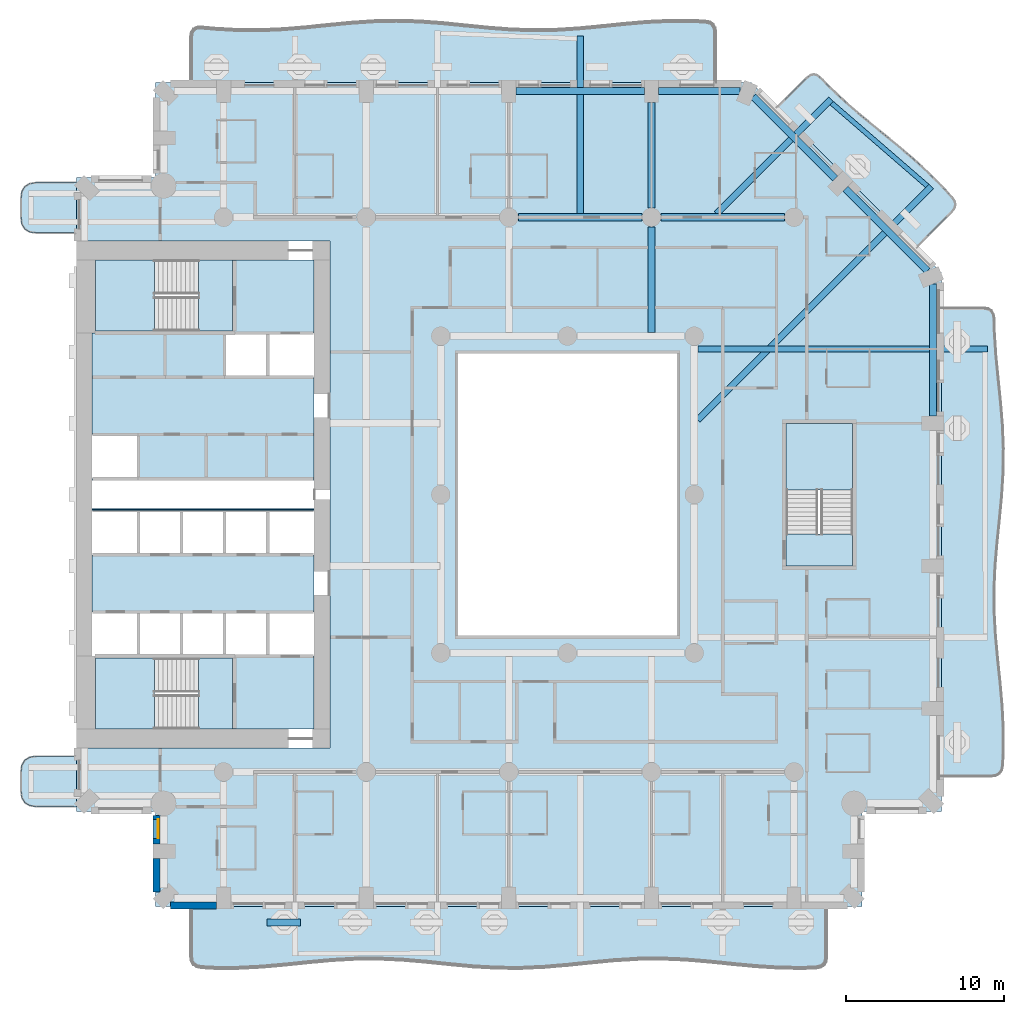
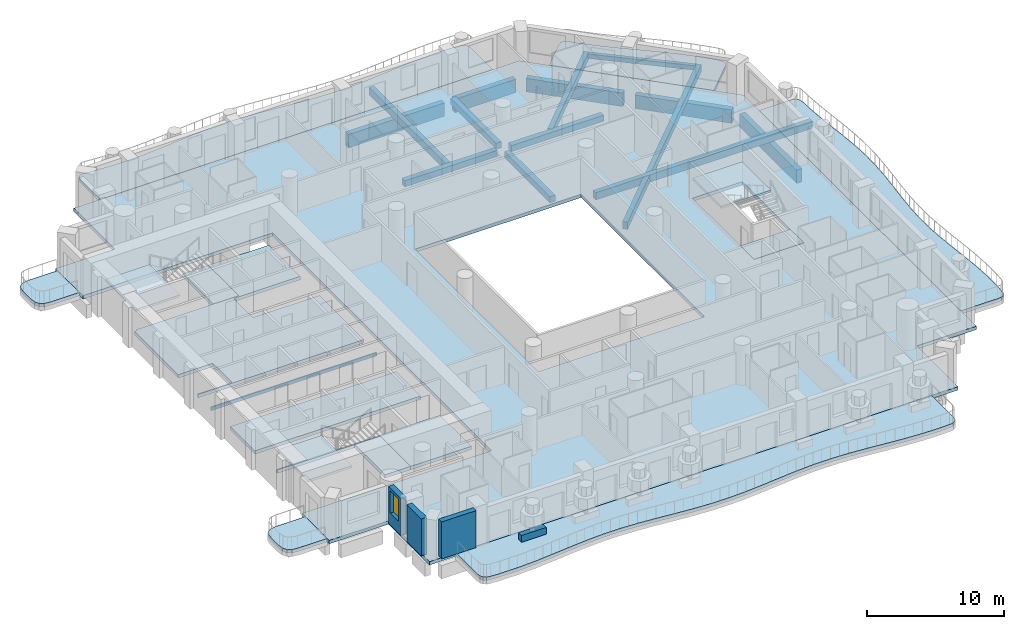
# One storey, part 2 of 20: 17 slabs, 14 beams, 4 walls, 1 window, 1 opening, 3 elements without a shape of their own.
"""IFC4 building model written with IfcOpenShell, lengths in metres."""

import ifcopenshell
import ifcopenshell.guid

model = None  # the IFC model being written
_history = None  # IfcOwnerHistory: only IFC2X3 demands one
_inside = {}  # id of a spatial element -> (the spatial element, [elements in it])
_under = {}  # id of a project, library or spatial element -> (it, [spatial elements below it])
_declared = {}  # id of a project -> (the project, [libraries it declares])
_typed = {}  # id of a type object -> (the type object, [elements of that type])
_made_of = {}  # id of a material, layer set ... -> (it, [elements and type objects made of it])


def new_model(schema):
    """Start an empty IFC model of exactly this schema.

    Asked for "IFC4X3", IfcOpenShell would pick the latest addendum, in which some entities
    have other attributes; the version numbers below select the first issue.
    IFC2X3 requires an IfcOwnerHistory on every rooted entity: one is made here for all.
    """
    global model, _history
    if schema == "IFC4X3":
        model = ifcopenshell.file(schema_version=(4, 3, 0, 0))
    else:
        model = ifcopenshell.file(schema=schema)
    _inside.clear()
    _under.clear()
    _declared.clear()
    _typed.clear()
    _made_of.clear()
    _history = None
    if model.schema == "IFC2X3":
        org = make("IfcOrganization", Name="unknown")
        user = make(
            "IfcPersonAndOrganization",
            ThePerson=make("IfcPerson", FamilyName="unknown"),
            TheOrganization=org,
        )
        app = make(
            "IfcApplication",
            ApplicationDeveloper=org,
            Version="unknown",
            ApplicationFullName="unknown",
            ApplicationIdentifier="unknown",
        )
        _history = make(
            "IfcOwnerHistory",
            OwningUser=user,
            OwningApplication=app,
            ChangeAction="ADDED",
            CreationDate=0,
        )
    return model


def make(cls, **values):
    """One entity of the class cls with the attributes given. An attribute that is None is left unset."""
    return model.create_entity(
        cls, **{name: value for name, value in values.items() if value is not None}
    )


def rooted(cls, **values):
    """An entity with a GlobalId (a new one), such as an element, a storey or a relation."""
    return make(cls, GlobalId=ifcopenshell.guid.new(), OwnerHistory=_history, **values)


def si_unit(unit_type, name, prefix=None):
    """IfcSIUnit, for example si_unit("LENGTHUNIT", "METRE", prefix="MILLI")."""
    return make("IfcSIUnit", UnitType=unit_type, Prefix=prefix, Name=name)


def assignment(units):
    """IfcUnitAssignment: the units of a project."""
    return None if units is None else make("IfcUnitAssignment", Units=units)


def point(xyz):
    """IfcCartesianPoint."""
    return None if xyz is None else make("IfcCartesianPoint", Coordinates=xyz)


def direction(xyz):
    """IfcDirection."""
    return None if xyz is None else make("IfcDirection", DirectionRatios=xyz)


def frame(location, z_axis=None, x_axis=None):
    """IfcAxis2Placement3D, a coordinate frame: its origin and axes. An axis left out is left unset."""
    return make(
        "IfcAxis2Placement3D",
        Location=point(location),
        Axis=direction(z_axis),
        RefDirection=direction(x_axis),
    )


def frame_2d(location, x_axis=None):
    """IfcAxis2Placement2D, a coordinate frame in the plane: its origin and x axis."""
    return make(
        "IfcAxis2Placement2D", Location=point(location), RefDirection=direction(x_axis)
    )


def origin():
    """The frame at (0, 0, 0) with its axes left unset."""
    return frame((0.0, 0.0, 0.0))


def origin_2d():
    """The frame at (0, 0) in the plane with its x axis left unset."""
    return frame_2d((0.0, 0.0))


def place(relative_to, where):
    """IfcLocalPlacement: puts the frame where relative to a parent placement (None: the world)."""
    return make(
        "IfcLocalPlacement", PlacementRelTo=relative_to, RelativePlacement=where
    )


def context(
    kind, dimensions, precision=None, world=None, true_north=None, identifier=None
):
    """IfcGeometricRepresentationContext, for example the 3D "Model" context."""
    return make(
        "IfcGeometricRepresentationContext",
        ContextIdentifier=identifier,
        ContextType=kind,
        CoordinateSpaceDimension=dimensions,
        Precision=precision,
        WorldCoordinateSystem=world,
        TrueNorth=true_north,
    )


def subcontext(parent, identifier, kind, view, scale=None):
    """IfcGeometricRepresentationSubContext, for example "Body" below "Model"."""
    return make(
        "IfcGeometricRepresentationSubContext",
        ContextIdentifier=identifier,
        ContextType=kind,
        ParentContext=parent,
        TargetScale=scale,
        TargetView=view,
    )


def project(units=None, contexts=None):
    """IfcProject with its units and contexts."""
    return rooted(
        "IfcProject",
        Name="project",
        RepresentationContexts=contexts,
        UnitsInContext=assignment(units),
    )


def spatial(cls, under=None, at=None, **own):
    """A site, building, storey or space (cls), placed at a placement, below another one or the project."""
    s = rooted(cls, ObjectPlacement=at, **own)
    if under is not None:
        _under.setdefault(under.id(), (under, []))[1].append(s)
    return s


def polyline(points):
    """IfcPolyline through the points."""
    return make("IfcPolyline", Points=[point(p) for p in points])


def profile(cls, at=None, kind="AREA", **sizes):
    """A parametric profile (cls). Its sizes go by their IFC names, for example OverallWidth=200.0."""
    return make(cls, ProfileType=kind, Position=at, **sizes)


def rectangle(**sizes):
    """IfcRectangleProfileDef."""
    return profile("IfcRectangleProfileDef", **sizes)


def outline(outer, holes=None, kind="AREA"):
    """IfcArbitraryClosedProfileDef: a profile drawn as a closed curve; with holes, ...WithVoids."""
    if holes is None:
        return make("IfcArbitraryClosedProfileDef", ProfileType=kind, OuterCurve=outer)
    return make(
        "IfcArbitraryProfileDefWithVoids",
        ProfileType=kind,
        OuterCurve=outer,
        InnerCurves=holes,
    )


def extrude(swept, where, along, depth):
    """IfcExtrudedAreaSolid: the profile swept, set in the frame where, extruded along a direction by depth."""
    return make(
        "IfcExtrudedAreaSolid",
        SweptArea=swept,
        Position=where,
        ExtrudedDirection=direction(along),
        Depth=depth,
    )


def shape(context_of_items, identifier, shape_type, items):
    """IfcShapeRepresentation: the items that make up one representation, for example the "Body"."""
    return make(
        "IfcShapeRepresentation",
        ContextOfItems=context_of_items,
        RepresentationIdentifier=identifier,
        RepresentationType=shape_type,
        Items=items,
    )


def material(Name=None, Category=None):
    """IfcMaterial."""
    return make("IfcMaterial", Name=Name, Category=Category)


def layer(
    of_material, thickness, ventilated=None, Name=None, Category=None, Priority=None
):
    """IfcMaterialLayer: one layer of a wall or slab, of a material (None: an air gap)."""
    return make(
        "IfcMaterialLayer",
        Material=of_material,
        LayerThickness=thickness,
        IsVentilated=ventilated,
        Name=Name,
        Category=Category,
        Priority=Priority,
    )


def layer_set(layers, Name=None):
    """IfcMaterialLayerSet."""
    return make("IfcMaterialLayerSet", MaterialLayers=layers, LayerSetName=Name)


def material_profile(
    of_material, cross_section, Name=None, Category=None, Priority=None
):
    """IfcMaterialProfile: a cross section and its material."""
    return make(
        "IfcMaterialProfile",
        Name=Name,
        Material=of_material,
        Profile=cross_section,
        Priority=Priority,
        Category=Category,
    )


def profile_set(profiles, Name=None, composite=None):
    """IfcMaterialProfileSet."""
    return make(
        "IfcMaterialProfileSet",
        Name=Name,
        MaterialProfiles=profiles,
        CompositeProfile=composite,
    )


def made_of(thing, what):
    """Note that an element or type object is made of a material, layer set ...; save() writes the relation."""
    if what is not None:
        _made_of.setdefault(what.id(), (what, []))[1].append(thing)
    return thing


def type_object(cls, material=None, **own):
    """A type object (cls), such as IfcWallType, which elements share."""
    return made_of(rooted(cls, **own), material)


def element(
    cls,
    number,
    at=None,
    inside=None,
    cuts=None,
    type_object=None,
    material=None,
    context=None,
    identifier="Body",
    shape_type=None,
    held_by="IfcProductDefinitionShape",
    body=None,
    shapes=None,
    **own,
):
    """One element of the class cls, such as IfcWall. Its Tag is "e" and its number.

    at: its placement. inside: the storey or other place that contains it. cuts: it is an
    opening in that element (IfcRelVoidsElement). A single representation is given by context,
    identifier, shape_type and body (its items); several are given by shapes. held_by: the class
    of the entity that holds the representations. save() writes the other relations.
    """
    e = rooted(cls, Tag="e%d" % number, ObjectPlacement=at, **own)
    if body is not None:
        shapes = [shape(context, identifier, shape_type, body)]
    if shapes is not None:
        e.Representation = make(held_by, Representations=shapes)
    if inside is not None:
        _inside.setdefault(inside.id(), (inside, []))[1].append(e)
    if cuts is not None:
        rooted(
            "IfcRelVoidsElement", RelatingBuildingElement=cuts, RelatedOpeningElement=e
        )
    if type_object is not None:
        _typed.setdefault(type_object.id(), (type_object, []))[1].append(e)
    return made_of(e, material)


def fill(opening, filler):
    """IfcRelFillsElement: the door or window that sits in an opening."""
    return rooted(
        "IfcRelFillsElement",
        RelatingOpeningElement=opening,
        RelatedBuildingElement=filler,
    )


def aggregate(whole, parts):
    """IfcRelAggregates: a whole, such as a stair, and the parts it consists of."""
    return rooted("IfcRelAggregates", RelatingObject=whole, RelatedObjects=parts)


def save(model, path):
    """Write the relations noted so far, then the file.

    IfcRelAggregates (storeys below a building ...), IfcRelContainedInSpatialStructure (elements
    in a storey), IfcRelDefinesByType, IfcRelAssociatesMaterial and IfcRelDeclares: one each for
    every whole, place, type object, material and project.
    """
    for whole, parts in _under.values():
        aggregate(whole, parts)
    for where, things in _inside.values():
        rooted(
            "IfcRelContainedInSpatialStructure",
            RelatedElements=things,
            RelatingStructure=where,
        )
    for kind, things in _typed.values():
        rooted("IfcRelDefinesByType", RelatedObjects=things, RelatingType=kind)
    for what, things in _made_of.values():
        rooted("IfcRelAssociatesMaterial", RelatedObjects=things, RelatingMaterial=what)
    for by, libraries in _declared.values():
        rooted("IfcRelDeclares", RelatingContext=by, RelatedDefinitions=libraries)
    model.write(path)


model = new_model("IFC4")

# Units and contexts
model_context = context("Model", 3, precision=1e-05, world=origin(), true_north=direction((0.0, 1.0)))
body_context = subcontext(model_context, "Body", "Model", "MODEL_VIEW")
ifc_project = project(units=[si_unit("LENGTHUNIT", "METRE"), si_unit("AREAUNIT", "SQUARE_METRE"), si_unit("VOLUMEUNIT", "CUBIC_METRE"), si_unit("PLANEANGLEUNIT", "RADIAN"), si_unit("MASSUNIT", "GRAM", prefix="KILO")], contexts=[model_context])

# Site, building, storey
site_placement = place(None, origin())
site = spatial("IfcSite", under=ifc_project, at=site_placement, CompositionType="ELEMENT")
building_placement = place(site_placement, origin())
building = spatial("IfcBuilding", under=site, at=building_placement, Name="Cypress Arch Tower", CompositionType="ELEMENT")
storey_placement = place(building_placement, frame((0.0, 0.0, 95.10009765625)))
storey = spatial("IfcBuildingStorey", under=building, at=storey_placement, Name="L18", CompositionType="ELEMENT", Elevation=95.10009765625)

# Beams
ifc_material_1 = material(Name="Concrete C50/60", Category="concrete")
ifc_material_profile_1 = material_profile(ifc_material_1, rectangle(XDim=0.300048828125, YDim=0.39990234375, at=origin_2d()), Name="RC 300x400")
ifc_profile_set_1 = profile_set([ifc_material_profile_1], Name="Concrete C50/60")
beam_type_1 = type_object("IfcBeamType", Name="Balcony edge beam RC 300x400 Concrete C50/60", PredefinedType="BEAM", material=ifc_profile_set_1)
beam_1_placement = place(storey_placement, frame((23.7060546875, 19.476806640625, -0.5), z_axis=(-0.755760737109, 0.654847851218, 0.0), x_axis=(-0.654847851218, -0.755760737109, 0.0)))
element("IfcBeam", 1, at=beam_1_placement, inside=storey, type_object=beam_type_1, Name="Balcony edge beam L18 A07", PredefinedType="BEAM", context=body_context, shape_type="SweptSolid", body=[
    extrude(rectangle(XDim=0.300048828125, YDim=0.39990234375, at=origin_2d()), origin(), (0.0, 0.0, 1.0), 7.9814453125),
])
ifc_material_2 = material(Name="Concrete C50/60", Category="concrete")
ifc_material_profile_2 = material_profile(ifc_material_2, rectangle(XDim=0.39990234375, YDim=0.64990234375, at=origin_2d()), Name="RC 400x650")
ifc_profile_set_2 = profile_set([ifc_material_profile_2], Name="Concrete C50/60")
beam_type_2 = type_object("IfcBeamType", Name="Cantilever beam RC 400x650 Concrete C50/60", PredefinedType="BEAM", material=ifc_profile_set_2)
beam_2_placement = place(storey_placement, frame((9.22509765625, 9.18798828125, -0.625), z_axis=(1.0, 0.0, 0.0), x_axis=(0.0, 1.0, 0.0)))
element("IfcBeam", 2, at=beam_2_placement, inside=storey, type_object=beam_type_2, Name="Cantilever beam L18 A06 2", PredefinedType="BEAM", context=body_context, shape_type="SweptSolid", body=[
    extrude(rectangle(XDim=0.39990234375, YDim=0.64990234375, at=origin_2d()), origin(), (0.0, 0.0, 1.0), 18.273193359375),
])
beam_3_placement = place(storey_placement, frame((9.22509765625, 4.712890625, -0.625), z_axis=(0.707106781187, 0.707106781187, 0.0), x_axis=(-0.707106781187, 0.707106781187, 0.0)))
element("IfcBeam", 3, at=beam_3_placement, inside=storey, type_object=beam_type_2, Name="Cantilever beam L18 A07 1", PredefinedType="BEAM", context=body_context, shape_type="SweptSolid", body=[
    extrude(rectangle(XDim=0.39990234375, YDim=0.64990234375, at=origin_2d()), origin(), (0.0, 0.0, 1.0), 20.829345703125),
])
beam_4_placement = place(storey_placement, frame((10.412841796875, 17.72509765625, -0.625), z_axis=(0.707118726869, 0.707094835302, 0.0), x_axis=(-0.707094835302, 0.707118726869, 0.0)))
element("IfcBeam", 4, at=beam_4_placement, inside=storey, type_object=beam_type_2, Name="Cantilever beam L18 A07 2", PredefinedType="BEAM", context=body_context, shape_type="SweptSolid", body=[
    extrude(rectangle(XDim=0.39990234375, YDim=0.64990234375, at=origin_2d()), origin(), (0.0, 0.0, 1.0), 10.21875),
])
beam_5_placement = place(storey_placement, frame((1.800048828125, 17.72509765625, -0.625), z_axis=(0.0, 1.0, 0.0), x_axis=(-1.0, 0.0, 0.0)))
element("IfcBeam", 5, at=beam_5_placement, inside=storey, type_object=beam_type_2, Name="Cantilever beam L18 A08 1", PredefinedType="BEAM", context=body_context, shape_type="SweptSolid", body=[
    extrude(rectangle(XDim=0.39990234375, YDim=0.64990234375, at=origin_2d()), origin(), (0.0, 0.0, 1.0), 11.199462890625),
])
ifc_material_3 = material(Name="Concrete C50/60", Category="concrete")
ifc_material_profile_3 = material_profile(ifc_material_3, rectangle(XDim=0.449951171875, YDim=0.550048828125, at=origin_2d()), Name="RC 450x550")
ifc_profile_set_3 = profile_set([ifc_material_profile_3], Name="Concrete C50/60")
beam_type_3 = type_object("IfcBeamType", Name="Floor beam RC 450x550 Concrete C50/60", PredefinedType="BEAM", material=ifc_profile_set_3)
for number, where, z_axis, x_axis, name in (
    (6, (-2.10009765625, 17.5, -0.5751953125), (1.0, 0.0, 0.0), (0.0, 1.0, 0.0), "Floor beam L18 FB017"),
    (7, (6.89990234375, 17.5, -0.5751953125), (1.0, 0.0, 0.0), (0.0, 1.0, 0.0), "Floor beam L18 FB018"),
):
    element("IfcBeam", number, at=place(storey_placement, frame(where, z_axis=z_axis, x_axis=x_axis)), inside=storey, type_object=beam_type_3, Name=name, PredefinedType="BEAM", context=body_context, shape_type="SweptSolid", body=[
        extrude(rectangle(XDim=0.449951171875, YDim=0.550048828125, at=origin_2d()), origin(), (0.0, 0.0, 1.0), 7.800048828125),
    ])
beam_6_placement = place(storey_placement, frame((6.300048828125, 10.22509765625, -0.5751953125), z_axis=(0.0, 1.0, 0.0), x_axis=(-1.0, 0.0, 0.0)))
element("IfcBeam", 8, at=beam_6_placement, inside=storey, type_object=beam_type_3, Name="Floor beam L18 FB032", PredefinedType="BEAM", context=body_context, shape_type="SweptSolid", body=[
    extrude(rectangle(XDim=0.449951171875, YDim=0.550048828125, at=origin_2d()), origin(), (0.0, 0.0, 1.0), 6.6748046875),
])
beam_7_placement = place(storey_placement, frame((6.300048828125, 18.10009765625, -0.5751953125), z_axis=(0.0, 1.0, 0.0), x_axis=(-1.0, 0.0, 0.0)))
element("IfcBeam", 9, at=beam_7_placement, inside=storey, type_object=beam_type_3, Name="Floor beam L18 FB033", PredefinedType="BEAM", context=body_context, shape_type="SweptSolid", body=[
    extrude(rectangle(XDim=0.449951171875, YDim=0.550048828125, at=origin_2d()), origin(), (0.0, 0.0, 1.0), 6.64990234375),
])
ifc_material_4 = material(Name="Concrete C50/60", Category="concrete")
ifc_material_profile_4 = material_profile(ifc_material_4, rectangle(XDim=0.449951171875, YDim=1.199951171875, at=origin_2d()), Name="RC 450x1200")
ifc_profile_set_4 = profile_set([ifc_material_profile_4], Name="Concrete C50/60")
beam_type_4 = type_object("IfcBeamType", Name="Spandrel beam RC 450x1200 Concrete C50/60", PredefinedType="SPANDREL", material=ifc_profile_set_4)
beam_8_placement = place(storey_placement, frame((24.074951171875, 4.949951171875, -1.550048828125), z_axis=(0.0, 1.0, 0.0), x_axis=(-1.0, 0.0, 0.0)))
element("IfcBeam", 10, at=beam_8_placement, inside=storey, type_object=beam_type_4, Name="Spandrel beam L18 BA06-3", PredefinedType="SPANDREL", context=body_context, shape_type="SweptSolid", body=[
    extrude(rectangle(XDim=0.449951171875, YDim=1.199951171875, at=origin_2d()), origin(), (0.0, 0.0, 1.0), 8.345458984375),
])
for number, where, z_axis, x_axis, name in (
    (11, (23.73046875, 14.126953125, -1.550048828125), (-0.707106781187, 0.707106781187, 0.0), (-0.707106781187, -0.707106781187, 0.0), "Spandrel beam L18 BA07-0"),
    (12, (17.91064453125, 19.947021484375, -1.550048828125), (-0.707106781187, 0.707106781187, 0.0), (-0.707106781187, -0.707106781187, 0.0), "Spandrel beam L18 BA07-1"),
):
    element("IfcBeam", number, at=place(storey_placement, frame(where, z_axis=z_axis, x_axis=x_axis)), inside=storey, type_object=beam_type_4, Name=name, PredefinedType="SPANDREL", context=body_context, shape_type="SweptSolid", body=[
        extrude(rectangle(XDim=0.449951171875, YDim=1.199951171875, at=origin_2d()), origin(), (0.0, 0.0, 1.0), 7.330810546875),
    ])
beam_9_placement = place(storey_placement, frame((11.8955078125, 25.47509765625, -1.550048828125), z_axis=(-1.0, 0.0, 0.0), x_axis=(0.0, -1.0, 0.0)))
element("IfcBeam", 13, at=beam_9_placement, inside=storey, type_object=beam_type_4, Name="Spandrel beam L18 BA08-0", PredefinedType="SPANDREL", context=body_context, shape_type="SweptSolid", body=[
    extrude(rectangle(XDim=0.449951171875, YDim=1.199951171875, at=origin_2d()), origin(), (0.0, 0.0, 1.0), 5.1455078125),
])
beam_10_placement = place(storey_placement, frame((5.85009765625, 25.47509765625, -1.550048828125), z_axis=(-1.0, 0.0, 0.0), x_axis=(0.0, -1.0, 0.0)))
element("IfcBeam", 14, at=beam_10_placement, inside=storey, type_object=beam_type_4, Name="Spandrel beam L18 BA08-1", PredefinedType="SPANDREL", context=body_context, shape_type="SweptSolid", body=[
    extrude(rectangle(XDim=0.449951171875, YDim=1.199951171875, at=origin_2d()), origin(), (0.0, 0.0, 1.0), 8.10009765625),
])

# Slabs
ifc_material_5 = material(Name="Concrete C40/50", Category="concrete")
ifc_layer_1 = layer(ifc_material_5, 0.300048828125)
ifc_layer_set_1 = layer_set([ifc_layer_1], Name="Balcony slab BS300")
slab_type_1 = type_object("IfcSlabType", Name="Balcony slab BS300", PredefinedType="USERDEFINED", material=ifc_layer_set_1)
slab_1_placement = place(storey_placement, frame((0.0, 0.0, -0.300048828125)))
element("IfcSlab", 15, at=slab_1_placement, inside=storey, type_object=slab_type_1, Name="Balcony slab L18-A00W0", ObjectType="BALCONY SLAB", PredefinedType="USERDEFINED", context=body_context, shape_type="SweptSolid", body=[
    extrude(outline(polyline([(-30.0, 19.699951171875), (-32.5, 19.699951171875), (-32.9375, 19.637451171875), (-33.25, 19.449951171875), (-33.4375, 19.137451171875), (-33.5, 18.699951171875), (-33.5, 17.5), (-33.4375, 17.0625), (-33.25, 16.75), (-32.9375, 16.5625), (-32.5, 16.5), (-30.0, 16.5), (-30.0, 19.699951171875)])), origin(), (0.0, 0.0, 1.0), 0.300048828125),
])
slab_2_placement = place(storey_placement, frame((0.0, 0.0, -0.300048828125)))
element("IfcSlab", 16, at=slab_2_placement, inside=storey, type_object=slab_type_1, Name="Balcony slab L18-A00W1", ObjectType="BALCONY SLAB", PredefinedType="USERDEFINED", context=body_context, shape_type="SweptSolid", body=[
    extrude(outline(polyline([(-30.0, -16.5), (-32.5, -16.5), (-32.9375, -16.5625), (-33.25, -16.75), (-33.4375, -17.0625), (-33.5, -17.5), (-33.5, -18.699951171875), (-33.4375, -19.137451171875), (-33.25, -19.449951171875), (-32.9375, -19.637451171875), (-32.5, -19.699951171875), (-30.0, -19.699951171875), (-30.0, -16.5)])), origin(), (0.0, 0.0, 1.0), 0.300048828125),
])
slab_3_placement = place(storey_placement, frame((0.0, 0.0, -0.300048828125)))
element("IfcSlab", 17, at=slab_3_placement, inside=storey, type_object=slab_type_1, Name="Balcony slab L18-A03", ObjectType="BALCONY SLAB", PredefinedType="USERDEFINED", context=body_context, shape_type="SweptSolid", body=[
    extrude(outline(polyline([(-22.75, -26.0), (-22.75, -29.142822265625), (-22.708251953125, -29.437744140625), (-22.5830078125, -29.653564453125), (-22.3740234375, -29.789794921875), (-22.081787109375, -29.846923828125), (-21.264892578125, -29.889404296875), (-19.779541015625, -29.890625), (-18.29443359375, -29.8154296875), (-16.809326171875, -29.68359375), (-15.323974609375, -29.52978515625), (-13.8388671875, -29.39453125), (-12.353759765625, -29.313232421875), (-10.868408203125, -29.307373046875), (-9.38330078125, -29.378173828125), (-7.898193359375, -29.507568359375), (-6.412841796875, -29.6611328125), (-4.927734375, -29.798583984375), (-3.442626953125, -29.8837890625), (-1.95751953125, -29.89453125), (-0.47216796875, -29.827880859375), (1.012939453125, -29.701416015625), (2.498046875, -29.548095703125), (3.9833984375, -29.408447265625), (5.468505859375, -29.3193359375), (6.95361328125, -29.3037109375), (8.43896484375, -29.3662109375), (9.924072265625, -29.489990234375), (11.4091796875, -29.642822265625), (12.89453125, -29.7841796875), (14.379638671875, -29.87744140625), (15.86474609375, -29.8974609375), (16.681640625, -29.86572265625), (16.97412109375, -29.8125), (17.182861328125, -29.678955078125), (17.308349609375, -29.465087890625), (17.35009765625, -29.170654296875), (17.35009765625, -26.0), (-22.75, -26.0)])), origin(), (0.0, 0.0, 1.0), 0.300048828125),
])
slab_4_placement = place(storey_placement, frame((0.0, 0.0, -0.300048828125)))
element("IfcSlab", 18, at=slab_4_placement, inside=storey, type_object=slab_type_1, Name="Balcony slab L18-A06", ObjectType="BALCONY SLAB", PredefinedType="USERDEFINED", context=body_context, shape_type="SweptSolid", body=[
    extrude(outline(polyline([(24.60009765625, -17.75), (27.74755859375, -17.75), (28.04052734375, -17.70849609375), (28.254638671875, -17.583984375), (28.39013671875, -17.376708984375), (28.44677734375, -17.086181640625), (28.489013671875, -16.27490234375), (28.4912109375, -14.800048828125), (28.417724609375, -13.324951171875), (28.28759765625, -11.85009765625), (28.135009765625, -10.375), (27.999267578125, -8.89990234375), (27.91552734375, -7.425048828125), (27.905517578125, -5.949951171875), (27.971923828125, -4.47509765625), (28.097412109375, -3.0), (28.24951171875, -1.52490234375), (28.388916015625, -0.050048828125), (28.47900390625, 1.425048828125), (28.4970703125, 2.89990234375), (28.43798828125, 4.375), (28.317138671875, 5.85009765625), (28.166015625, 7.324951171875), (28.023681640625, 8.800048828125), (27.927001953125, 10.27490234375), (27.912841796875, 11.086181640625), (27.8662109375, 11.376708984375), (27.738037109375, 11.583984375), (27.528564453125, 11.70849609375), (27.2373046875, 11.75), (24.60009765625, 11.75), (24.60009765625, -17.75)])), origin(), (0.0, 0.0, 1.0), 0.300048828125),
])
slab_5_placement = place(storey_placement, frame((0.0, 0.0, -0.300048828125)))
element("IfcSlab", 19, at=slab_5_placement, inside=storey, type_object=slab_type_1, Name="Balcony slab L18-A07", ObjectType="BALCONY SLAB", PredefinedType="USERDEFINED", context=body_context, shape_type="SweptSolid", body=[
    extrude(outline(polyline([(23.009033203125, 15.591064453125), (25.262939453125, 17.844970703125), (25.43017578125, 18.067138671875), (25.489990234375, 18.292236328125), (25.4423828125, 18.520263671875), (25.287353515625, 18.751220703125), (24.77734375, 19.31884765625), (23.8037109375, 20.3046875), (22.781982421875, 21.24267578125), (21.72216796875, 22.142578125), (20.642578125, 23.022216796875), (19.565673828125, 23.905029296875), (18.514404296875, 24.813232421875), (17.504638671875, 25.762939453125), (16.975830078125, 26.312255859375), (16.759033203125, 26.481201171875), (16.541259765625, 26.538818359375), (16.322265625, 26.4853515625), (16.1025390625, 26.320556640625), (14.19091796875, 24.408935546875), (23.009033203125, 15.591064453125)])), origin(), (0.0, 0.0, 1.0), 0.300048828125),
])
slab_6_placement = place(storey_placement, frame((0.0, 0.0, -0.300048828125)))
element("IfcSlab", 20, at=slab_6_placement, inside=storey, type_object=slab_type_1, Name="Balcony slab L18-A08", ObjectType="BALCONY SLAB", PredefinedType="USERDEFINED", context=body_context, shape_type="SweptSolid", body=[
    extrude(outline(polyline([(10.35009765625, 26.0), (10.35009765625, 29.16357421875), (10.3095703125, 29.449462890625), (10.18798828125, 29.658447265625), (9.98583984375, 29.790771484375), (9.702392578125, 29.84619140625), (8.910888671875, 29.88818359375), (7.4716796875, 29.892822265625), (6.03271484375, 29.8251953125), (4.593505859375, 29.701904296875), (3.154296875, 29.553466796875), (1.71533203125, 29.41650390625), (0.276123046875, 29.324951171875), (-1.1630859375, 29.30126953125), (-2.602294921875, 29.351318359375), (-4.041259765625, 29.462890625), (-5.48046875, 29.6083984375), (-6.919677734375, 29.751708984375), (-8.358642578125, 29.857666015625), (-9.7978515625, 29.89990234375), (-11.237060546875, 29.867919921875), (-12.676025390625, 29.769775390625), (-14.115234375, 29.6298828125), (-15.554443359375, 29.482421875), (-16.993408203125, 29.364013671875), (-18.4326171875, 29.303955078125), (-19.871826171875, 29.317138671875), (-21.310791015625, 29.400146484375), (-22.102294921875, 29.472900390625), (-22.3857421875, 29.458251953125), (-22.588134765625, 29.35498046875), (-22.70947265625, 29.1630859375), (-22.75, 28.882080078125), (-22.75, 26.0), (10.35009765625, 26.0)])), origin(), (0.0, 0.0, 1.0), 0.300048828125),
])
ifc_material_6 = material(Name="Concrete C40/50", Category="concrete")
ifc_layer_2 = layer(ifc_material_6, 0.300048828125)
ifc_layer_set_2 = layer_set([ifc_layer_2], Name="Core floor CF300")
slab_type_2 = type_object("IfcSlabType", Name="Core floor CF300", PredefinedType="FLOOR", material=ifc_layer_set_2)
slab_7_placement = place(storey_placement, frame((0.0, 0.0, -0.300048828125)))
element("IfcSlab", 21, at=slab_7_placement, inside=storey, type_object=slab_type_2, Name="Core floor", PredefinedType="FLOOR", context=body_context, shape_type="SweptSolid", body=[
    extrude(outline(polyline([(-20.125, -14.800048828125), (-15.0, -14.800048828125), (-15.0, -10.199951171875), (-17.919921875, -10.199951171875), (-20.639892578125, -10.199951171875), (-23.360107421875, -10.199951171875), (-26.080078125, -10.199951171875), (-28.800048828125, -10.199951171875), (-28.800048828125, -10.324951171875), (-22.27490234375, -10.324951171875), (-20.125, -10.324951171875), (-20.125, -14.800048828125)])), origin(), (0.0, 0.0, 1.0), 0.300048828125),
])
slab_8_placement = place(storey_placement, frame((0.0, 0.0, -0.300048828125)))
element("IfcSlab", 22, at=slab_8_placement, inside=storey, type_object=slab_type_2, Name="Core floor", PredefinedType="FLOOR", context=body_context, shape_type="SweptSolid", body=[
    extrude(outline(polyline([(-29.0, -3.800048828125), (-29.0, -7.39990234375), (-26.080078125, -7.39990234375), (-23.360107421875, -7.39990234375), (-20.639892578125, -7.39990234375), (-17.919921875, -7.39990234375), (-15.0, -7.39990234375), (-15.0, -3.800048828125), (-17.919921875, -3.800048828125), (-20.639892578125, -3.800048828125), (-23.360107421875, -3.800048828125), (-26.080078125, -3.800048828125), (-29.0, -3.800048828125)])), origin(), (0.0, 0.0, 1.0), 0.300048828125),
])
slab_9_placement = place(storey_placement, frame((0.0, 0.0, -0.300048828125)))
element("IfcSlab", 23, at=slab_9_placement, inside=storey, type_object=slab_type_2, Name="Core floor", PredefinedType="FLOOR", context=body_context, shape_type="SweptSolid", body=[
    extrude(outline(polyline([(-29.0, 3.800048828125), (-29.0, 10.199951171875), (-28.800048828125, 10.199951171875), (-28.800048828125, 10.324951171875), (-28.60009765625, 10.324951171875), (-22.27490234375, 10.324951171875), (-20.125, 10.324951171875), (-20.125, 14.800048828125), (-15.39990234375, 14.800048828125), (-15.0, 14.800048828125), (-15.0, 10.199951171875), (-15.39990234375, 10.199951171875), (-17.919921875, 10.199951171875), (-20.639892578125, 10.199951171875), (-20.639892578125, 7.39990234375), (-17.919921875, 7.39990234375), (-15.39990234375, 7.39990234375), (-15.0, 7.39990234375), (-15.0, 0.89990234375), (-28.60009765625, 0.89990234375), (-29.0, 0.89990234375), (-29.0, 1.0), (-28.60009765625, 1.0), (-26.080078125, 1.0), (-26.080078125, 3.800048828125), (-28.60009765625, 3.800048828125), (-29.0, 3.800048828125)])), origin(), (0.0, 0.0, 1.0), 0.300048828125),
])
slab_10_placement = place(storey_placement, frame((0.0, 0.0, -0.300048828125)))
element("IfcSlab", 24, at=slab_10_placement, inside=storey, type_object=slab_type_2, Name="Core floor", PredefinedType="FLOOR", context=body_context, shape_type="SweptSolid", body=[
    extrude(outline(polyline([(-22.27490234375, -10.324951171875), (-22.27490234375, -14.800048828125), (-20.125, -14.800048828125), (-20.125, -10.324951171875), (-22.27490234375, -10.324951171875)])), origin(), (0.0, 0.0, 1.0), 0.300048828125),
])
slab_11_placement = place(storey_placement, frame((0.0, 0.0, -0.300048828125)))
element("IfcSlab", 25, at=slab_11_placement, inside=storey, type_object=slab_type_2, Name="Core floor", PredefinedType="FLOOR", context=body_context, shape_type="SweptSolid", body=[
    extrude(outline(polyline([(-20.125, 14.800048828125), (-22.27490234375, 14.800048828125), (-22.27490234375, 10.324951171875), (-20.125, 10.324951171875), (-20.125, 14.800048828125)])), origin(), (0.0, 0.0, 1.0), 0.300048828125),
])
slab_12_placement = place(storey_placement, frame((0.0, 0.0, -0.300048828125)))
element("IfcSlab", 26, at=slab_12_placement, inside=storey, type_object=slab_type_2, Name="Stair floor landing", PredefinedType="FLOOR", context=body_context, shape_type="SweptSolid", body=[
    extrude(outline(polyline([(19.0, -4.5), (19.0, -2.5), (14.800048828125, -2.5), (14.800048828125, -4.5), (19.0, -4.5)])), origin(), (0.0, 0.0, 1.0), 0.300048828125),
])
slab_13_placement = place(storey_placement, frame((0.0, 0.0, -0.300048828125)))
element("IfcSlab", 27, at=slab_13_placement, inside=storey, type_object=slab_type_2, Name="Core floor", PredefinedType="FLOOR", context=body_context, shape_type="SweptSolid", body=[
    extrude(outline(polyline([(-20.639892578125, -1.0), (-23.360107421875, -1.0), (-26.080078125, -1.0), (-28.60009765625, -1.0), (-29.0, -1.0), (-29.0, -0.89990234375), (-28.60009765625, -0.89990234375), (-15.39990234375, -0.89990234375), (-15.0, -0.89990234375), (-15.0, -1.0), (-15.39990234375, -1.0), (-17.919921875, -1.0), (-20.639892578125, -1.0)])), origin(), (0.0, 0.0, 1.0), 0.300048828125),
])
ifc_material_7 = material(Name="Concrete C40/50", Category="concrete")
ifc_layer_3 = layer(ifc_material_7, 0.300048828125)
ifc_layer_set_3 = layer_set([ifc_layer_3], Name="PT flat slab 300 Concrete C40/50")
slab_type_3 = type_object("IfcSlabType", Name="PT flat slab 300 Concrete C40/50", PredefinedType="FLOOR", material=ifc_layer_set_3)
slab_14_placement = place(storey_placement, frame((0.0, 0.0, -0.300048828125)))
element("IfcSlab", 28, at=slab_14_placement, inside=storey, type_object=slab_type_3, Name="Floor slab L18", PredefinedType="FLOOR", context=body_context, shape_type="SweptSolid", body=[
    extrude(outline(polyline([(-30.0, 20.0), (-25.0, 20.0), (-25.0, 26.0), (12.60009765625, 26.0), (24.60009765625, 14.0), (24.60009765625, -20.0), (19.60009765625, -20.0), (19.60009765625, -26.0), (-25.0, -26.0), (-25.0, -20.0), (-30.0, -20.0), (-30.0, -16.0), (-14.0, -16.0), (-14.0, 16.0), (-30.0, 16.0), (-30.0, 20.0)]), holes=[polyline([(-6.0, -9.0), (8.0, -9.0), (8.0, 9.0), (-6.0, 9.0), (-6.0, -9.0)]), polyline([(14.800048828125, -4.5), (19.0, -4.5), (19.0, 4.5), (14.800048828125, 4.5), (14.800048828125, -4.5)])]), origin(), (0.0, 0.0, 1.0), 0.300048828125),
])

# Stair, slab
ifc_material_8 = material(Name="Concrete C40/50", Category="concrete")
stair_type_1 = type_object("IfcStairType", Name="Exit stair ES1636-215", PredefinedType="HALF_TURN_STAIR", material=ifc_material_8)
stair_1_placement = place(storey_placement, origin())
stair_1 = element("IfcStair", 29, at=stair_1_placement, inside=storey, type_object=stair_type_1, Name="L18 Exit stair A", PredefinedType="HALF_TURN_STAIR")
ifc_material_9 = material(Name="Concrete C40/50", Category="concrete")
ifc_layer_4 = layer(ifc_material_9, 0.199951171875)
ifc_layer_set_4 = layer_set([ifc_layer_4], Name="Stair landing SL200")
slab_type_4 = type_object("IfcSlabType", Name="Stair landing SL200", PredefinedType="LANDING", material=ifc_layer_set_4)
slab_15_placement = place(storey_placement, frame((0.0, 0.0, 1.599853515625)))
slab_15 = element("IfcSlab", 30, at=slab_15_placement, type_object=slab_type_4, Name="A landing 1", PredefinedType="LANDING", context=body_context, shape_type="SweptSolid", body=[
    extrude(outline(polyline([(-25.074951171875, -10.324951171875), (-28.800048828125, -10.324951171875), (-28.800048828125, -14.800048828125), (-25.074951171875, -14.800048828125), (-25.074951171875, -10.324951171875)])), origin(), (0.0, 0.0, 1.0), 0.199951171875),
])
aggregate(stair_1, [slab_15])

stair_2_placement = place(storey_placement, origin())
stair_2 = element("IfcStair", 31, at=stair_2_placement, inside=storey, type_object=stair_type_1, Name="L18 Exit stair B", PredefinedType="HALF_TURN_STAIR")
slab_16_placement = place(storey_placement, frame((0.0, 0.0, 1.599853515625)))
slab_16 = element("IfcSlab", 32, at=slab_16_placement, type_object=slab_type_4, Name="B landing 1", PredefinedType="LANDING", context=body_context, shape_type="SweptSolid", body=[
    extrude(outline(polyline([(-25.074951171875, 14.800048828125), (-28.800048828125, 14.800048828125), (-28.800048828125, 10.324951171875), (-25.074951171875, 10.324951171875), (-25.074951171875, 14.800048828125)])), origin(), (0.0, 0.0, 1.0), 0.199951171875),
])
aggregate(stair_2, [slab_16])

ifc_material_10 = material(Name="Concrete C40/50", Category="concrete")
stair_type_2 = type_object("IfcStairType", Name="Exit stair ES1636-200", PredefinedType="HALF_TURN_STAIR", material=ifc_material_10)
stair_3_placement = place(storey_placement, origin())
stair_3 = element("IfcStair", 33, at=stair_3_placement, inside=storey, type_object=stair_type_2, Name="L18 Exit stair C", PredefinedType="HALF_TURN_STAIR")
slab_17_placement = place(storey_placement, frame((0.0, 0.0, 1.599853515625)))
slab_17 = element("IfcSlab", 34, at=slab_17_placement, type_object=slab_type_4, Name="C landing 1", PredefinedType="LANDING", context=body_context, shape_type="SweptSolid", body=[
    extrude(outline(polyline([(19.0, 0.300048828125), (19.0, 4.5), (14.800048828125, 4.5), (14.800048828125, 0.300048828125), (19.0, 0.300048828125)])), origin(), (0.0, 0.0, 1.0), 0.199951171875),
])
aggregate(stair_3, [slab_17])

# Wall
ifc_material_11 = material(Name="Concrete C40/50, waterproofed", Category="concrete")
ifc_layer_5 = layer(ifc_material_11, 0.449951171875)
ifc_layer_set_5 = layer_set([ifc_layer_5], Name="Balcony planter wall PW450")
wall_type_1 = type_object("IfcWallType", Name="Balcony planter wall PW450", PredefinedType="SOLIDWALL", material=ifc_layer_set_5)
wall_1_placement = place(storey_placement, frame((-17.949951171875, -27.0, 0.0), z_axis=(0.0, 0.0, 1.0), x_axis=(1.0, 0.0, 0.0)))
element("IfcWall", 35, at=wall_1_placement, inside=storey, type_object=wall_type_1, Name="Balcony planter wall L18-A03.1", PredefinedType="SOLIDWALL", context=body_context, shape_type="SweptSolid", body=[
    extrude(rectangle(XDim=2.099853515625, YDim=0.449951171875, at=frame_2d((1.0498046875, 0.0))), origin(), (0.0, 0.0, 1.0), 0.599853515625),
])

# Wall, opening, window
ifc_material_12 = material(Name="Brick (red buff blend)", Category="masonry")
ifc_layer_6 = layer(ifc_material_12, 0.449951171875)
ifc_layer_set_6 = layer_set([ifc_layer_6], Name="Brick pier and spandrel wall BW450")
wall_type_2 = type_object("IfcWallType", Name="Brick pier and spandrel wall BW450", PredefinedType="SOLIDWALL", material=ifc_layer_set_6)
wall_2_placement = place(storey_placement, frame((-24.925048828125, -20.258544921875, 0.0), z_axis=(0.0, 0.0, 1.0), x_axis=(0.0, -1.0, 0.0)))
wall_2 = element("IfcWall", 36, at=wall_2_placement, inside=storey, type_object=wall_type_2, Name="Brick wall L18 A02.0", PredefinedType="SOLIDWALL", context=body_context, shape_type="SweptSolid", body=[
    extrude(rectangle(XDim=1.79150390625, YDim=0.449951171875, at=frame_2d((0.895751953125, 0.0))), origin(), (0.0, 0.0, 1.0), 3.2998046875),
])
opening_placement = place(wall_2_placement, frame((0.241455078125, 0.0, 1.050048828125)))
opening = element("IfcOpeningElement", 37, at=opening_placement, cuts=wall_2, Name="Opening W120H", PredefinedType="OPENING", context=body_context, shape_type="SweptSolid", body=[
    extrude(rectangle(XDim=1.199951171875, YDim=2.0, at=frame_2d((0.60009765625, 1.0))), frame((0.0, 0.23486328125, 0.0), z_axis=(0.0, -1.0, 0.0), x_axis=(1.0, 0.0, 0.0)), (0.0, 0.0, 1.0), 0.469970703125),
])
ifc_material_13 = material(Name="Anodised aluminium, bronze finish, clear low-emissivity double glazing", Category="aluminium")
window_type = type_object("IfcWindowType", Name="Window Hotel 1200x2000", PartitioningType="SINGLE_PANEL", PredefinedType="WINDOW", material=ifc_material_13)
window_placement = place(opening_placement, origin())
window = element("IfcWindow", 38, at=window_placement, inside=storey, type_object=window_type, Name="Window L18 A02.0.1", OverallHeight=2.0, OverallWidth=1.199951171875, PartitioningType="SINGLE_PANEL", PredefinedType="WINDOW", context=body_context, shape_type="SweptSolid", body=[
    extrude(rectangle(XDim=1.199951171875, YDim=2.0, at=frame_2d((0.60009765625, 1.0))), frame((0.0, 0.135009765625, 0.0), z_axis=(0.0, -1.0, 0.0), x_axis=(1.0, 0.0, 0.0)), (0.0, 0.0, 1.0), 0.06005859375),
])
fill(opening, window)

# Walls
wall_3_placement = place(storey_placement, frame((-24.925048828125, -22.949951171875, 0.0), z_axis=(0.0, 0.0, 1.0), x_axis=(0.0, -1.0, 0.0)))
element("IfcWall", 39, at=wall_3_placement, inside=storey, type_object=wall_type_2, Name="Brick wall L18 A02.1", PredefinedType="SOLIDWALL", context=body_context, shape_type="SweptSolid", body=[
    extrude(rectangle(XDim=2.11376953125, YDim=0.449951171875, at=frame_2d((1.056884765625, 0.0))), origin(), (0.0, 0.0, 1.0), 3.2998046875),
])
wall_4_placement = place(storey_placement, frame((-24.063720703125, -25.925048828125, 0.0), z_axis=(0.0, 0.0, 1.0), x_axis=(1.0, 0.0, 0.0)))
element("IfcWall", 40, at=wall_4_placement, inside=storey, type_object=wall_type_2, Name="Brick wall L18 A03.0", PredefinedType="SOLIDWALL", context=body_context, shape_type="SweptSolid", body=[
    extrude(rectangle(XDim=2.913818359375, YDim=0.449951171875, at=frame_2d((1.45703125, 0.0))), origin(), (0.0, 0.0, 1.0), 3.2998046875),
])

save(model, "model.ifc")
